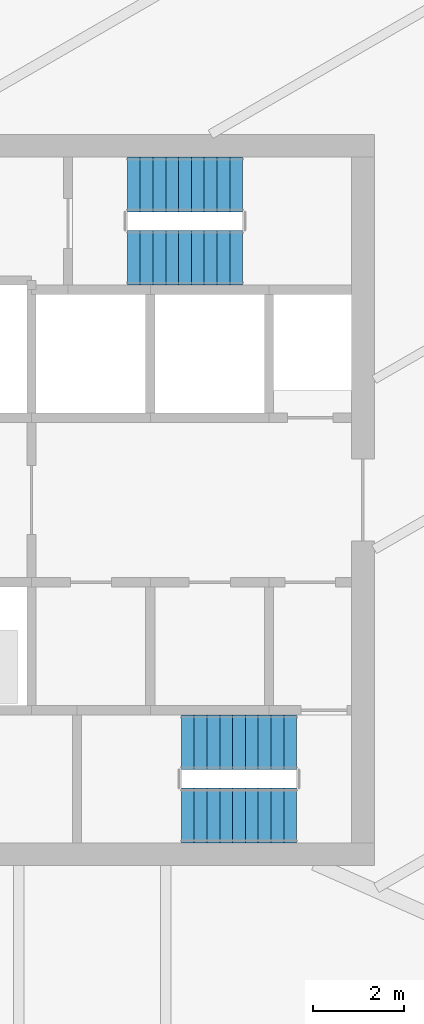
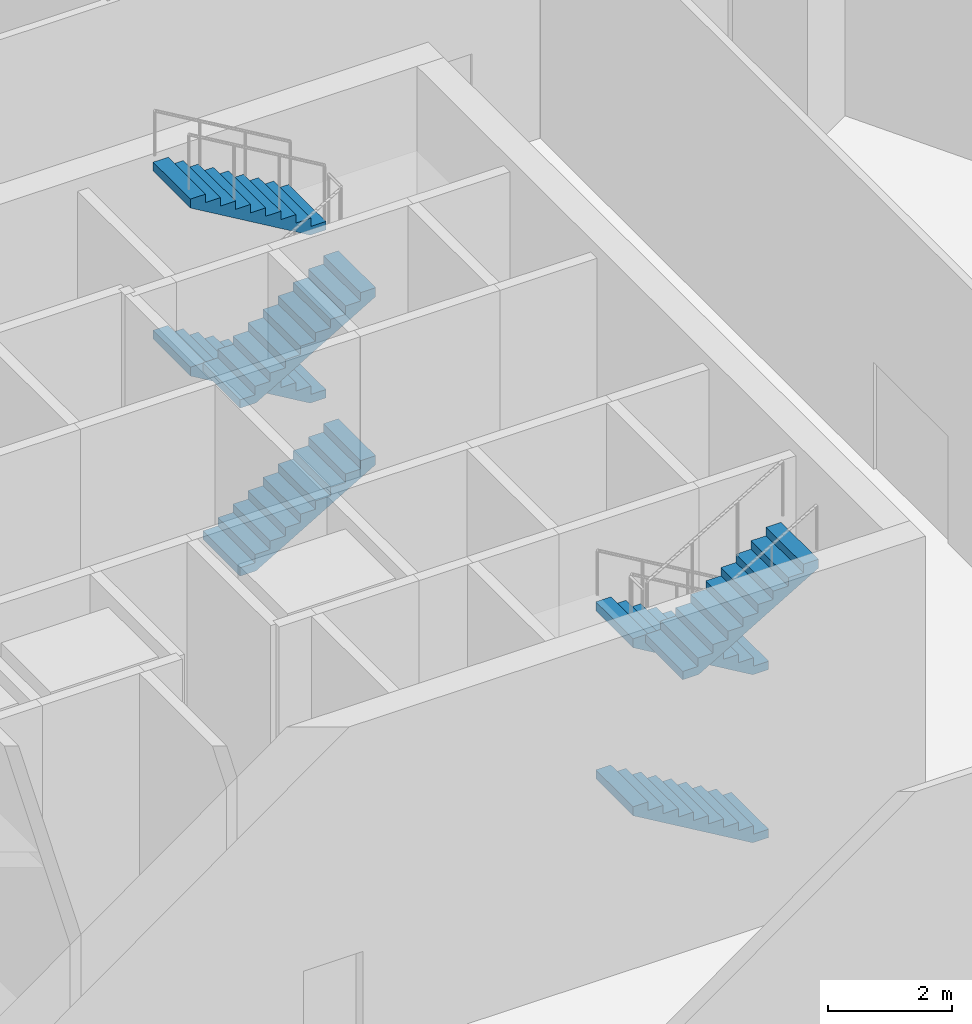
# One storey, part 7 of 11: 7 stair flights, 2 elements without a shape of their own.
"""IFC4 building model written with IfcOpenShell, lengths in metres."""

from ifc_helpers import new_model, si_unit, direction, frame, origin, place, context, subcontext, project, spatial, polyline, outline, extrude, material, type_object, element, aggregate, save


model = new_model("IFC4")

# Units and contexts
model_context = context("Model", 3, precision=1e-05, world=origin(), true_north=direction((0.0, 1.0)))
body_context = subcontext(model_context, "Body", "Model", "MODEL_VIEW")
ifc_project = project(units=[si_unit("LENGTHUNIT", "METRE"), si_unit("AREAUNIT", "SQUARE_METRE"), si_unit("VOLUMEUNIT", "CUBIC_METRE"), si_unit("PLANEANGLEUNIT", "RADIAN"), si_unit("MASSUNIT", "GRAM", prefix="KILO")], contexts=[model_context])

# Site, building, storey
site_placement = place(None, origin())
site = spatial("IfcSite", under=ifc_project, at=site_placement, CompositionType="ELEMENT")
building_placement = place(site_placement, origin())
building = spatial("IfcBuilding", under=site, at=building_placement, Name="Sierra Prisma Convention Tower", CompositionType="ELEMENT")
storey_placement = place(building_placement, frame((0.0, 0.0, 22.199951171875)))
storey = spatial("IfcBuildingStorey", under=building, at=storey_placement, Name="L03", CompositionType="ELEMENT", Elevation=22.199951171875)

# Stair, stair flights
ifc_material_1 = material(Name="Concrete C30/37", Category="concrete")
stair_type = type_object("IfcStairType", Name="Stair dog-leg 1200 RC", PredefinedType="HALF_TURN_STAIR", material=ifc_material_1)
stair_1_placement = place(storey_placement, origin())
stair_1 = element("IfcStair", 1, at=stair_1_placement, inside=storey, type_object=stair_type, Name="L03 S2", PredefinedType="HALF_TURN_STAIR")
ifc_material_2 = material(Name="Concrete C30/37", Category="concrete")
stair_flight_type = type_object("IfcStairFlightType", Name="Stair flight RC 1200", PredefinedType="STRAIGHT", material=ifc_material_2)
stair_flight_1_placement = place(storey_placement, frame((9.300048828125, -5.300048828125, 0.0), z_axis=(0.0, 0.0, 1.0), x_axis=(-1.0, 0.0, 0.0)))
stair_flight_1 = element("IfcStairFlight", 2, at=stair_flight_1_placement, type_object=stair_flight_type, Name="S2 flight 1", NumberOfRisers=10, NumberOfTreads=9, PredefinedType="STRAIGHT", RiserHeight=0.165, TreadLength=0.28, context=body_context, shape_type="SweptSolid", body=[
    extrude(outline(polyline([(0.0, 0.0), (0.0, 0.1650390625), (0.280029296875, 0.1650390625), (0.280029296875, 0.330078125), (0.56005859375, 0.330078125), (0.56005859375, 0.4951171875), (0.840087890625, 0.4951171875), (0.840087890625, 0.659912109375), (1.1201171875, 0.659912109375), (1.1201171875, 0.824951171875), (1.39990234375, 0.824951171875), (1.39990234375, 0.989990234375), (1.679931640625, 0.989990234375), (1.679931640625, 1.155029296875), (1.9599609375, 1.155029296875), (1.9599609375, 1.320068359375), (2.239990234375, 1.320068359375), (2.239990234375, 1.485107421875), (2.52001953125, 1.485107421875), (2.52001953125, 1.64990234375), (2.52001953125, 1.31103515625), (0.295166015625, 0.0), (0.0, 0.0)])), frame((0.0, 0.60009765625, 0.0), z_axis=(0.0, -1.0, 0.0), x_axis=(1.0, 0.0, 0.0)), (0.0, 0.0, 1.0), 1.199951171875),
])
stair_flight_2_placement = place(storey_placement, frame((9.300048828125, -5.300048828125, 3.300048828125), z_axis=(0.0, 0.0, 1.0), x_axis=(-1.0, 0.0, 0.0)))
stair_flight_2 = element("IfcStairFlight", 3, at=stair_flight_2_placement, type_object=stair_flight_type, Name="S2 flight 3", NumberOfRisers=10, NumberOfTreads=9, PredefinedType="STRAIGHT", RiserHeight=0.165, TreadLength=0.28, context=body_context, shape_type="SweptSolid", body=[
    extrude(outline(polyline([(0.0, 0.0), (0.0, 0.1650390625), (0.280029296875, 0.1650390625), (0.280029296875, 0.330078125), (0.56005859375, 0.330078125), (0.56005859375, 0.4951171875), (0.840087890625, 0.4951171875), (0.840087890625, 0.659912109375), (1.1201171875, 0.659912109375), (1.1201171875, 0.824951171875), (1.39990234375, 0.824951171875), (1.39990234375, 0.989990234375), (1.679931640625, 0.989990234375), (1.679931640625, 1.155029296875), (1.9599609375, 1.155029296875), (1.9599609375, 1.320068359375), (2.239990234375, 1.320068359375), (2.239990234375, 1.485107421875), (2.52001953125, 1.485107421875), (2.52001953125, 1.64990234375), (2.52001953125, 1.31103515625), (0.295166015625, 0.0), (0.0, 0.0)])), frame((0.0, 0.60009765625, 0.0), z_axis=(0.0, -1.0, 0.0), x_axis=(1.0, 0.0, 0.0)), (0.0, 0.0, 1.0), 1.199951171875),
])
stair_flight_3_placement = place(storey_placement, frame((6.780029296875, -6.89990234375, 4.949951171875), z_axis=(0.0, 0.0, 1.0), x_axis=(1.0, 0.0, 0.0)))
stair_flight_3 = element("IfcStairFlight", 4, at=stair_flight_3_placement, type_object=stair_flight_type, Name="S2 flight 4", NumberOfRisers=10, NumberOfTreads=9, PredefinedType="STRAIGHT", RiserHeight=0.165, TreadLength=0.28, context=body_context, shape_type="SweptSolid", body=[
    extrude(outline(polyline([(0.0, 0.0), (0.0, 0.1650390625), (0.280029296875, 0.1650390625), (0.280029296875, 0.330078125), (0.56005859375, 0.330078125), (0.56005859375, 0.4951171875), (0.840087890625, 0.4951171875), (0.840087890625, 0.659912109375), (1.1201171875, 0.659912109375), (1.1201171875, 0.824951171875), (1.39990234375, 0.824951171875), (1.39990234375, 0.989990234375), (1.679931640625, 0.989990234375), (1.679931640625, 1.155029296875), (1.9599609375, 1.155029296875), (1.9599609375, 1.320068359375), (2.239990234375, 1.320068359375), (2.239990234375, 1.485107421875), (2.52001953125, 1.485107421875), (2.52001953125, 1.64990234375), (2.52001953125, 1.31103515625), (0.295166015625, 0.0), (0.0, 0.0)])), frame((0.0, 0.60009765625, 0.0), z_axis=(0.0, -1.0, 0.0), x_axis=(1.0, 0.0, 0.0)), (0.0, 0.0, 1.0), 1.199951171875),
])
aggregate(stair_1, [stair_flight_1, stair_flight_2, stair_flight_3])

stair_2_placement = place(storey_placement, origin())
stair_2 = element("IfcStair", 5, at=stair_2_placement, inside=storey, type_object=stair_type, Name="L03 S4", PredefinedType="HALF_TURN_STAIR")
stair_flight_4_placement = place(storey_placement, frame((5.60009765625, 5.300048828125, 0.0), z_axis=(0.0, 0.0, 1.0), x_axis=(1.0, 0.0, 0.0)))
stair_flight_4 = element("IfcStairFlight", 6, at=stair_flight_4_placement, type_object=stair_flight_type, Name="S4 flight 1", NumberOfRisers=10, NumberOfTreads=9, PredefinedType="STRAIGHT", RiserHeight=0.165, TreadLength=0.28, context=body_context, shape_type="SweptSolid", body=[
    extrude(outline(polyline([(0.0, 0.0), (0.0, 0.1650390625), (0.280029296875, 0.1650390625), (0.280029296875, 0.330078125), (0.56005859375, 0.330078125), (0.56005859375, 0.4951171875), (0.840087890625, 0.4951171875), (0.840087890625, 0.659912109375), (1.1201171875, 0.659912109375), (1.1201171875, 0.824951171875), (1.39990234375, 0.824951171875), (1.39990234375, 0.989990234375), (1.679931640625, 0.989990234375), (1.679931640625, 1.155029296875), (1.9599609375, 1.155029296875), (1.9599609375, 1.320068359375), (2.239990234375, 1.320068359375), (2.239990234375, 1.485107421875), (2.52001953125, 1.485107421875), (2.52001953125, 1.64990234375), (2.52001953125, 1.31103515625), (0.295166015625, 0.0), (0.0, 0.0)])), frame((0.0, 0.60009765625, 0.0), z_axis=(0.0, -1.0, 0.0), x_axis=(1.0, 0.0, 0.0)), (0.0, 0.0, 1.0), 1.199951171875),
])
stair_flight_5_placement = place(storey_placement, frame((8.1201171875, 6.89990234375, 1.650146484375), z_axis=(0.0, 0.0, 1.0), x_axis=(-1.0, 0.0, 0.0)))
stair_flight_5 = element("IfcStairFlight", 7, at=stair_flight_5_placement, type_object=stair_flight_type, Name="S4 flight 2", NumberOfRisers=10, NumberOfTreads=9, PredefinedType="STRAIGHT", RiserHeight=0.165, TreadLength=0.28, context=body_context, shape_type="SweptSolid", body=[
    extrude(outline(polyline([(0.0, 0.0), (0.0, 0.1650390625), (0.280029296875, 0.1650390625), (0.280029296875, 0.330078125), (0.56005859375, 0.330078125), (0.56005859375, 0.4951171875), (0.840087890625, 0.4951171875), (0.840087890625, 0.659912109375), (1.1201171875, 0.659912109375), (1.1201171875, 0.824951171875), (1.39990234375, 0.824951171875), (1.39990234375, 0.989990234375), (1.679931640625, 0.989990234375), (1.679931640625, 1.155029296875), (1.9599609375, 1.155029296875), (1.9599609375, 1.320068359375), (2.239990234375, 1.320068359375), (2.239990234375, 1.485107421875), (2.52001953125, 1.485107421875), (2.52001953125, 1.64990234375), (2.52001953125, 1.31103515625), (0.295166015625, 0.0), (0.0, 0.0)])), frame((0.0, 0.60009765625, 0.0), z_axis=(0.0, -1.0, 0.0), x_axis=(1.0, 0.0, 0.0)), (0.0, 0.0, 1.0), 1.199951171875),
])
stair_flight_6_placement = place(storey_placement, frame((5.60009765625, 5.300048828125, 3.300048828125), z_axis=(0.0, 0.0, 1.0), x_axis=(1.0, 0.0, 0.0)))
stair_flight_6 = element("IfcStairFlight", 8, at=stair_flight_6_placement, type_object=stair_flight_type, Name="S4 flight 3", NumberOfRisers=10, NumberOfTreads=9, PredefinedType="STRAIGHT", RiserHeight=0.165, TreadLength=0.28, context=body_context, shape_type="SweptSolid", body=[
    extrude(outline(polyline([(0.0, 0.0), (0.0, 0.1650390625), (0.280029296875, 0.1650390625), (0.280029296875, 0.330078125), (0.56005859375, 0.330078125), (0.56005859375, 0.4951171875), (0.840087890625, 0.4951171875), (0.840087890625, 0.659912109375), (1.1201171875, 0.659912109375), (1.1201171875, 0.824951171875), (1.39990234375, 0.824951171875), (1.39990234375, 0.989990234375), (1.679931640625, 0.989990234375), (1.679931640625, 1.155029296875), (1.9599609375, 1.155029296875), (1.9599609375, 1.320068359375), (2.239990234375, 1.320068359375), (2.239990234375, 1.485107421875), (2.52001953125, 1.485107421875), (2.52001953125, 1.64990234375), (2.52001953125, 1.31103515625), (0.295166015625, 0.0), (0.0, 0.0)])), frame((0.0, 0.60009765625, 0.0), z_axis=(0.0, -1.0, 0.0), x_axis=(1.0, 0.0, 0.0)), (0.0, 0.0, 1.0), 1.199951171875),
])
stair_flight_7_placement = place(storey_placement, frame((8.1201171875, 6.89990234375, 4.949951171875), z_axis=(0.0, 0.0, 1.0), x_axis=(-1.0, 0.0, 0.0)))
stair_flight_7 = element("IfcStairFlight", 9, at=stair_flight_7_placement, type_object=stair_flight_type, Name="S4 flight 4", NumberOfRisers=10, NumberOfTreads=9, PredefinedType="STRAIGHT", RiserHeight=0.165, TreadLength=0.28, context=body_context, shape_type="SweptSolid", body=[
    extrude(outline(polyline([(0.0, 0.0), (0.0, 0.1650390625), (0.280029296875, 0.1650390625), (0.280029296875, 0.330078125), (0.56005859375, 0.330078125), (0.56005859375, 0.4951171875), (0.840087890625, 0.4951171875), (0.840087890625, 0.659912109375), (1.1201171875, 0.659912109375), (1.1201171875, 0.824951171875), (1.39990234375, 0.824951171875), (1.39990234375, 0.989990234375), (1.679931640625, 0.989990234375), (1.679931640625, 1.155029296875), (1.9599609375, 1.155029296875), (1.9599609375, 1.320068359375), (2.239990234375, 1.320068359375), (2.239990234375, 1.485107421875), (2.52001953125, 1.485107421875), (2.52001953125, 1.64990234375), (2.52001953125, 1.31103515625), (0.295166015625, 0.0), (0.0, 0.0)])), frame((0.0, 0.60009765625, 0.0), z_axis=(0.0, -1.0, 0.0), x_axis=(1.0, 0.0, 0.0)), (0.0, 0.0, 1.0), 1.199951171875),
])
aggregate(stair_2, [stair_flight_4, stair_flight_5, stair_flight_6, stair_flight_7])

save(model, "model.ifc")
